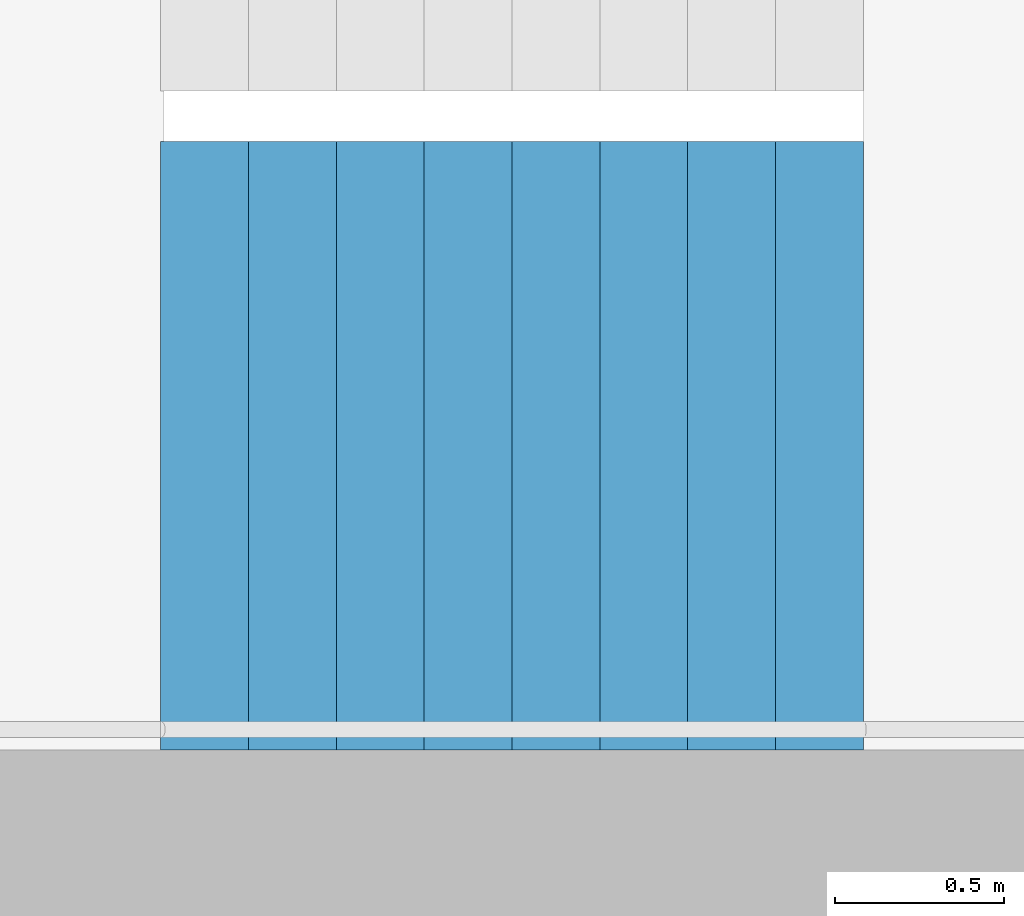
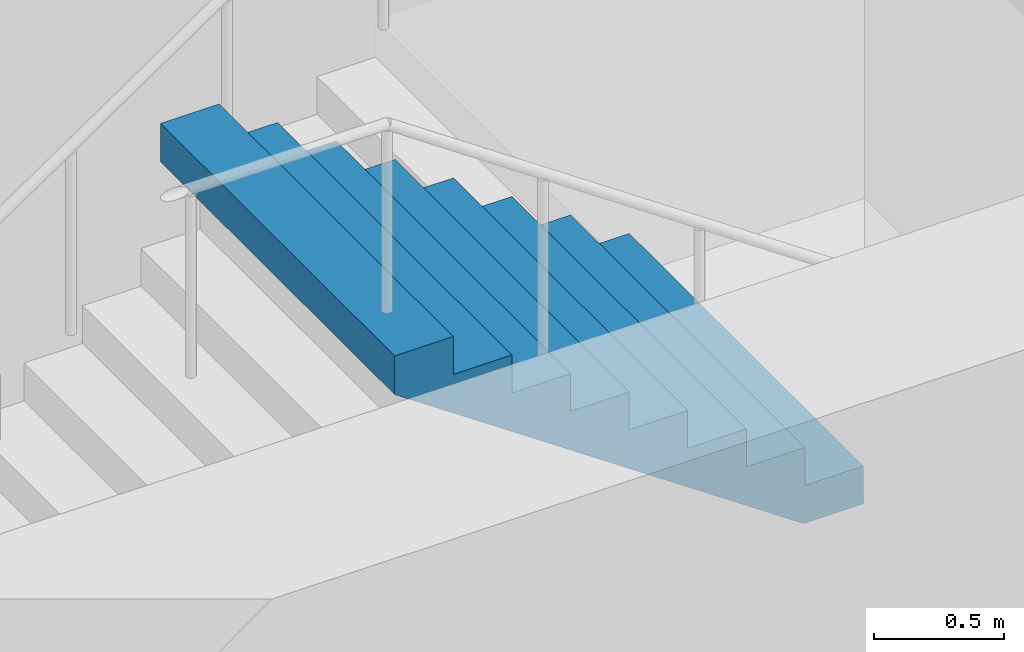
# One storey, part 25 of 29: 1 stair flight, 1 element without a shape of its own.
"""IFC4 building model written with IfcOpenShell, lengths in metres."""

from ifc_helpers import new_model, si_unit, direction, frame, origin, place, context, subcontext, project, spatial, triangles, material, type_object, element, aggregate, save


model = new_model("IFC4")

# Units and contexts
model_context = context("Model", 3, precision=1e-05, world=origin(), true_north=direction((0.0, 1.0)))
body_context = subcontext(model_context, "Body", "Model", "MODEL_VIEW")
ifc_project = project(units=[si_unit("LENGTHUNIT", "METRE"), si_unit("AREAUNIT", "SQUARE_METRE"), si_unit("VOLUMEUNIT", "CUBIC_METRE"), si_unit("PLANEANGLEUNIT", "RADIAN"), si_unit("MASSUNIT", "GRAM", prefix="KILO")], contexts=[model_context])

# Site, building, storey
site_placement = place(None, origin())
site = spatial("IfcSite", under=ifc_project, at=site_placement, CompositionType="ELEMENT")
building_placement = place(site_placement, origin())
building = spatial("IfcBuilding", under=site, at=building_placement, Name="Hakoniwa Tower and Hamabe Station Hall", CompositionType="ELEMENT")
storey_placement = place(building_placement, frame((0.0, 0.0, 91.39990234375)))
storey = spatial("IfcBuildingStorey", under=building, at=storey_placement, Name="L25", CompositionType="ELEMENT", Elevation=91.39990234375)

# Stair, stair flight
ifc_material_1 = material(Name="Concrete C40", Category="concrete")
stair_type = type_object("IfcStairType", Name="ESCAPE STAIR 1800", PredefinedType="HALF_TURN_STAIR", material=ifc_material_1)
stair_placement = place(storey_placement, origin())
stair = element("IfcStair", 1, at=stair_placement, inside=storey, type_object=stair_type, Name="Escape stair ST-4 L25", PredefinedType="HALF_TURN_STAIR")
ifc_material_2 = material(Name="Concrete C40", Category="concrete")
stair_flight_type = type_object("IfcStairFlightType", Name="STAIR FLIGHT 1800", PredefinedType="STRAIGHT", material=ifc_material_2)
stair_flight_placement = place(storey_placement, frame((25.47998046875, -6.60009765625, 1.60009765625), z_axis=(0.0, 0.0, 1.0), x_axis=(-1.0, 0.0, 0.0)))
stair_flight = element("IfcStairFlight", 2, at=stair_flight_placement, type_object=stair_flight_type, Name="ST-4 flight 2", NumberOfRisers=9, NumberOfTreads=8, PredefinedType="STRAIGHT", RiserHeight=0.177777778, TreadLength=0.26, context=body_context, shape_type="Tessellation", body=[
    triangles([(0.0, 0.89990234375, 0.0), (0.260009765625, 0.89990234375, 0.0), (0.265625, 0.89990234375, 0.0), (0.52001953125, 0.89990234375, 0.174072265625), (0.780029296875, 0.89990234375, 0.351806640625), (1.0400390625, 0.89990234375, 0.529541015625), (1.300048828125, 0.89990234375, 0.707275390625), (1.56005859375, 0.89990234375, 0.885009765625), (1.820068359375, 0.89990234375, 1.062744140625), (2.080078125, 0.89990234375, 1.24072265625), (2.080078125, 0.89990234375, 1.422119140625), (1.820068359375, 0.89990234375, 1.422119140625), (1.820068359375, 0.89990234375, 1.244384765625), (1.56005859375, 0.89990234375, 1.244384765625), (1.56005859375, 0.89990234375, 1.066650390625), (1.300048828125, 0.89990234375, 1.066650390625), (1.300048828125, 0.89990234375, 0.888916015625), (1.0400390625, 0.89990234375, 0.888916015625), (1.0400390625, 0.89990234375, 0.711181640625), (0.780029296875, 0.89990234375, 0.711181640625), (0.780029296875, 0.89990234375, 0.533447265625), (0.52001953125, 0.89990234375, 0.533447265625), (0.52001953125, 0.89990234375, 0.35546875), (0.265625, 0.89990234375, 0.35546875), (0.260009765625, 0.89990234375, 0.35546875), (0.260009765625, 0.89990234375, 0.177734375), (0.0, 0.89990234375, 0.177734375), (0.0, 0.06005859375, 0.0), (0.260009765625, 0.06005859375, 0.0), (0.265625, 0.06005859375, 0.0), (0.52001953125, 0.06005859375, 0.174072265625), (0.780029296875, 0.06005859375, 0.351806640625), (1.0400390625, 0.06005859375, 0.529541015625), (1.300048828125, 0.06005859375, 0.707275390625), (1.56005859375, 0.06005859375, 0.885009765625), (1.820068359375, 0.06005859375, 1.062744140625), (2.080078125, 0.06005859375, 1.24072265625), (2.080078125, 0.06005859375, 1.422119140625), (1.820068359375, 0.06005859375, 1.422119140625), (1.820068359375, 0.06005859375, 1.244384765625), (1.56005859375, 0.06005859375, 1.244384765625), (1.56005859375, 0.06005859375, 1.066650390625), (1.300048828125, 0.06005859375, 1.066650390625), (1.300048828125, 0.06005859375, 0.888916015625), (1.0400390625, 0.06005859375, 0.888916015625), (1.0400390625, 0.06005859375, 0.711181640625), (0.780029296875, 0.06005859375, 0.711181640625), (0.780029296875, 0.06005859375, 0.533447265625), (0.52001953125, 0.06005859375, 0.533447265625), (0.52001953125, 0.06005859375, 0.35546875), (0.265625, 0.06005859375, 0.35546875), (0.260009765625, 0.06005859375, 0.35546875), (0.260009765625, 0.06005859375, 0.177734375), (0.0, 0.06005859375, 0.177734375), (0.0, 0.04296875, 0.0), (0.260009765625, 0.04296875, 0.0), (0.265625, 0.04296875, 0.0), (0.52001953125, 0.04296875, 0.174072265625), (0.780029296875, 0.04296875, 0.351806640625), (1.0400390625, 0.04296875, 0.529541015625), (1.300048828125, 0.04296875, 0.707275390625), (1.56005859375, 0.04296875, 0.885009765625), (1.820068359375, 0.04296875, 1.062744140625), (2.080078125, 0.04296875, 1.24072265625), (2.080078125, 0.04296875, 1.422119140625), (1.820068359375, 0.04296875, 1.422119140625), (1.820068359375, 0.04296875, 1.244384765625), (1.56005859375, 0.04296875, 1.244384765625), (1.56005859375, 0.04296875, 1.066650390625), (1.300048828125, 0.04296875, 1.066650390625), (1.300048828125, 0.04296875, 0.888916015625), (1.0400390625, 0.04296875, 0.888916015625), (1.0400390625, 0.04296875, 0.711181640625), (0.780029296875, 0.04296875, 0.711181640625), (0.780029296875, 0.04296875, 0.533447265625), (0.52001953125, 0.04296875, 0.533447265625), (0.52001953125, 0.04296875, 0.35546875), (0.265625, 0.04296875, 0.35546875), (0.260009765625, 0.04296875, 0.35546875), (0.260009765625, 0.04296875, 0.177734375), (0.0, 0.04296875, 0.177734375), (0.0, 0.025634765625, 0.0), (0.260009765625, 0.025634765625, 0.0), (0.265625, 0.025634765625, 0.0), (0.52001953125, 0.025634765625, 0.174072265625), (0.780029296875, 0.025634765625, 0.351806640625), (1.0400390625, 0.025634765625, 0.529541015625), (1.300048828125, 0.025634765625, 0.707275390625), (1.56005859375, 0.025634765625, 0.885009765625), (1.820068359375, 0.025634765625, 1.062744140625), (2.080078125, 0.025634765625, 1.24072265625), (2.080078125, 0.025634765625, 1.422119140625), (1.820068359375, 0.025634765625, 1.422119140625), (1.820068359375, 0.025634765625, 1.244384765625), (1.56005859375, 0.025634765625, 1.244384765625), (1.56005859375, 0.025634765625, 1.066650390625), (1.300048828125, 0.025634765625, 1.066650390625), (1.300048828125, 0.025634765625, 0.888916015625), (1.0400390625, 0.025634765625, 0.888916015625), (1.0400390625, 0.025634765625, 0.711181640625), (0.780029296875, 0.025634765625, 0.711181640625), (0.780029296875, 0.025634765625, 0.533447265625), (0.52001953125, 0.025634765625, 0.533447265625), (0.52001953125, 0.025634765625, 0.35546875), (0.265625, 0.025634765625, 0.35546875), (0.260009765625, 0.025634765625, 0.35546875), (0.260009765625, 0.025634765625, 0.177734375), (0.0, 0.025634765625, 0.177734375), (0.0, 0.008544921875, 0.0), (0.260009765625, 0.008544921875, 0.0), (0.265625, 0.008544921875, 0.0), (0.52001953125, 0.008544921875, 0.174072265625), (0.780029296875, 0.008544921875, 0.351806640625), (1.0400390625, 0.008544921875, 0.529541015625), (1.300048828125, 0.008544921875, 0.707275390625), (1.56005859375, 0.008544921875, 0.885009765625), (1.820068359375, 0.008544921875, 1.062744140625), (2.080078125, 0.008544921875, 1.24072265625), (2.080078125, 0.008544921875, 1.422119140625), (1.820068359375, 0.008544921875, 1.422119140625), (1.820068359375, 0.008544921875, 1.244384765625), (1.56005859375, 0.008544921875, 1.244384765625), (1.56005859375, 0.008544921875, 1.066650390625), (1.300048828125, 0.008544921875, 1.066650390625), (1.300048828125, 0.008544921875, 0.888916015625), (1.0400390625, 0.008544921875, 0.888916015625), (1.0400390625, 0.008544921875, 0.711181640625), (0.780029296875, 0.008544921875, 0.711181640625), (0.780029296875, 0.008544921875, 0.533447265625), (0.52001953125, 0.008544921875, 0.533447265625), (0.52001953125, 0.008544921875, 0.35546875), (0.265625, 0.008544921875, 0.35546875), (0.260009765625, 0.008544921875, 0.35546875), (0.260009765625, 0.008544921875, 0.177734375), (0.0, 0.008544921875, 0.177734375), (0.0, -0.008544921875, 0.0), (0.260009765625, -0.008544921875, 0.0), (0.265625, -0.008544921875, 0.0), (0.52001953125, -0.008544921875, 0.174072265625), (0.780029296875, -0.008544921875, 0.351806640625), (1.0400390625, -0.008544921875, 0.529541015625), (1.300048828125, -0.008544921875, 0.707275390625), (1.56005859375, -0.008544921875, 0.885009765625), (1.820068359375, -0.008544921875, 1.062744140625), (2.080078125, -0.008544921875, 1.24072265625), (2.080078125, -0.008544921875, 1.422119140625), (1.820068359375, -0.008544921875, 1.422119140625), (1.820068359375, -0.008544921875, 1.244384765625), (1.56005859375, -0.008544921875, 1.244384765625), (1.56005859375, -0.008544921875, 1.066650390625), (1.300048828125, -0.008544921875, 1.066650390625), (1.300048828125, -0.008544921875, 0.888916015625), (1.0400390625, -0.008544921875, 0.888916015625), (1.0400390625, -0.008544921875, 0.711181640625), (0.780029296875, -0.008544921875, 0.711181640625), (0.780029296875, -0.008544921875, 0.533447265625), (0.52001953125, -0.008544921875, 0.533447265625), (0.52001953125, -0.008544921875, 0.35546875), (0.265625, -0.008544921875, 0.35546875), (0.260009765625, -0.008544921875, 0.35546875), (0.260009765625, -0.008544921875, 0.177734375), (0.0, -0.008544921875, 0.177734375), (0.0, -0.025634765625, 0.0), (0.260009765625, -0.025634765625, 0.0), (0.265625, -0.025634765625, 0.0), (0.52001953125, -0.025634765625, 0.174072265625), (0.780029296875, -0.025634765625, 0.351806640625), (1.0400390625, -0.025634765625, 0.529541015625), (1.300048828125, -0.025634765625, 0.707275390625), (1.56005859375, -0.025634765625, 0.885009765625), (1.820068359375, -0.025634765625, 1.062744140625), (2.080078125, -0.025634765625, 1.24072265625), (2.080078125, -0.025634765625, 1.422119140625), (1.820068359375, -0.025634765625, 1.422119140625), (1.820068359375, -0.025634765625, 1.244384765625), (1.56005859375, -0.025634765625, 1.244384765625), (1.56005859375, -0.025634765625, 1.066650390625), (1.300048828125, -0.025634765625, 1.066650390625), (1.300048828125, -0.025634765625, 0.888916015625), (1.0400390625, -0.025634765625, 0.888916015625), (1.0400390625, -0.025634765625, 0.711181640625), (0.780029296875, -0.025634765625, 0.711181640625), (0.780029296875, -0.025634765625, 0.533447265625), (0.52001953125, -0.025634765625, 0.533447265625), (0.52001953125, -0.025634765625, 0.35546875), (0.265625, -0.025634765625, 0.35546875), (0.260009765625, -0.025634765625, 0.35546875), (0.260009765625, -0.025634765625, 0.177734375), (0.0, -0.025634765625, 0.177734375), (0.0, -0.04296875, 0.0), (0.260009765625, -0.04296875, 0.0), (0.265625, -0.04296875, 0.0), (0.52001953125, -0.04296875, 0.174072265625), (0.780029296875, -0.04296875, 0.351806640625), (1.0400390625, -0.04296875, 0.529541015625), (1.300048828125, -0.04296875, 0.707275390625), (1.56005859375, -0.04296875, 0.885009765625), (1.820068359375, -0.04296875, 1.062744140625), (2.080078125, -0.04296875, 1.24072265625), (2.080078125, -0.04296875, 1.422119140625), (1.820068359375, -0.04296875, 1.422119140625), (1.820068359375, -0.04296875, 1.244384765625), (1.56005859375, -0.04296875, 1.244384765625), (1.56005859375, -0.04296875, 1.066650390625), (1.300048828125, -0.04296875, 1.066650390625), (1.300048828125, -0.04296875, 0.888916015625), (1.0400390625, -0.04296875, 0.888916015625), (1.0400390625, -0.04296875, 0.711181640625), (0.780029296875, -0.04296875, 0.711181640625), (0.780029296875, -0.04296875, 0.533447265625), (0.52001953125, -0.04296875, 0.533447265625), (0.52001953125, -0.04296875, 0.35546875), (0.265625, -0.04296875, 0.35546875), (0.260009765625, -0.04296875, 0.35546875), (0.260009765625, -0.04296875, 0.177734375), (0.0, -0.04296875, 0.177734375), (0.0, -0.06005859375, 0.0), (0.260009765625, -0.06005859375, 0.0), (0.265625, -0.06005859375, 0.0), (0.52001953125, -0.06005859375, 0.174072265625), (0.780029296875, -0.06005859375, 0.351806640625), (1.0400390625, -0.06005859375, 0.529541015625), (1.300048828125, -0.06005859375, 0.707275390625), (1.56005859375, -0.06005859375, 0.885009765625), (1.820068359375, -0.06005859375, 1.062744140625), (2.080078125, -0.06005859375, 1.24072265625), (2.080078125, -0.06005859375, 1.422119140625), (1.820068359375, -0.06005859375, 1.422119140625), (1.820068359375, -0.06005859375, 1.244384765625), (1.56005859375, -0.06005859375, 1.244384765625), (1.56005859375, -0.06005859375, 1.066650390625), (1.300048828125, -0.06005859375, 1.066650390625), (1.300048828125, -0.06005859375, 0.888916015625), (1.0400390625, -0.06005859375, 0.888916015625), (1.0400390625, -0.06005859375, 0.711181640625), (0.780029296875, -0.06005859375, 0.711181640625), (0.780029296875, -0.06005859375, 0.533447265625), (0.52001953125, -0.06005859375, 0.533447265625), (0.52001953125, -0.06005859375, 0.35546875), (0.265625, -0.06005859375, 0.35546875), (0.260009765625, -0.06005859375, 0.35546875), (0.260009765625, -0.06005859375, 0.177734375), (0.0, -0.06005859375, 0.177734375), (0.0, -0.89990234375, 0.0), (0.260009765625, -0.89990234375, 0.0), (0.265625, -0.89990234375, 0.0), (0.52001953125, -0.89990234375, 0.174072265625), (0.780029296875, -0.89990234375, 0.351806640625), (1.0400390625, -0.89990234375, 0.529541015625), (1.300048828125, -0.89990234375, 0.707275390625), (1.56005859375, -0.89990234375, 0.885009765625), (1.820068359375, -0.89990234375, 1.062744140625), (2.080078125, -0.89990234375, 1.24072265625), (2.080078125, -0.89990234375, 1.422119140625), (1.820068359375, -0.89990234375, 1.422119140625), (1.820068359375, -0.89990234375, 1.244384765625), (1.56005859375, -0.89990234375, 1.244384765625), (1.56005859375, -0.89990234375, 1.066650390625), (1.300048828125, -0.89990234375, 1.066650390625), (1.300048828125, -0.89990234375, 0.888916015625), (1.0400390625, -0.89990234375, 0.888916015625), (1.0400390625, -0.89990234375, 0.711181640625), (0.780029296875, -0.89990234375, 0.711181640625), (0.780029296875, -0.89990234375, 0.533447265625), (0.52001953125, -0.89990234375, 0.533447265625), (0.52001953125, -0.89990234375, 0.35546875), (0.265625, -0.89990234375, 0.35546875), (0.260009765625, -0.89990234375, 0.35546875), (0.260009765625, -0.89990234375, 0.177734375), (0.0, -0.89990234375, 0.177734375)], [[2, 27, 26], [245, 269, 270], [2, 1, 27], [245, 270, 244], [3, 25, 24], [246, 267, 268], [3, 26, 25], [246, 268, 269], [3, 2, 26], [246, 269, 245], [4, 24, 23], [247, 266, 267], [4, 3, 24], [247, 267, 246], [5, 22, 21], [248, 264, 265], [5, 23, 22], [248, 265, 266], [5, 4, 23], [248, 266, 247], [6, 20, 19], [249, 262, 263], [6, 21, 20], [249, 263, 264], [6, 5, 21], [249, 264, 248], [7, 18, 17], [250, 260, 261], [7, 19, 18], [250, 261, 262], [7, 6, 19], [250, 262, 249], [8, 16, 15], [251, 258, 259], [8, 17, 16], [251, 259, 260], [8, 7, 17], [251, 260, 250], [9, 14, 13], [252, 256, 257], [9, 15, 14], [252, 257, 258], [9, 8, 15], [252, 258, 251], [10, 12, 11], [253, 254, 255], [10, 13, 12], [253, 255, 256], [10, 9, 13], [253, 256, 252], [1, 2, 29], [1, 29, 28], [28, 29, 56], [28, 56, 55], [55, 56, 83], [55, 83, 82], [82, 83, 110], [82, 110, 109], [109, 110, 137], [109, 137, 136], [136, 137, 164], [136, 164, 163], [163, 164, 191], [163, 191, 190], [190, 191, 218], [190, 218, 217], [217, 218, 245], [217, 245, 244], [2, 3, 30], [2, 30, 29], [29, 30, 57], [29, 57, 56], [56, 57, 84], [56, 84, 83], [83, 84, 111], [83, 111, 110], [110, 111, 138], [110, 138, 137], [137, 138, 165], [137, 165, 164], [164, 165, 192], [164, 192, 191], [191, 192, 219], [191, 219, 218], [218, 219, 246], [218, 246, 245], [3, 4, 31], [3, 31, 30], [30, 31, 58], [30, 58, 57], [57, 58, 85], [57, 85, 84], [84, 85, 112], [84, 112, 111], [111, 112, 139], [111, 139, 138], [138, 139, 166], [138, 166, 165], [165, 166, 193], [165, 193, 192], [192, 193, 220], [192, 220, 219], [219, 220, 247], [219, 247, 246], [4, 5, 32], [4, 32, 31], [31, 32, 59], [31, 59, 58], [58, 59, 86], [58, 86, 85], [85, 86, 113], [85, 113, 112], [112, 113, 140], [112, 140, 139], [139, 140, 167], [139, 167, 166], [166, 167, 194], [166, 194, 193], [193, 194, 221], [193, 221, 220], [220, 221, 248], [220, 248, 247], [5, 6, 33], [5, 33, 32], [32, 33, 60], [32, 60, 59], [59, 60, 87], [59, 87, 86], [86, 87, 114], [86, 114, 113], [113, 114, 141], [113, 141, 140], [140, 141, 168], [140, 168, 167], [167, 168, 195], [167, 195, 194], [194, 195, 222], [194, 222, 221], [221, 222, 249], [221, 249, 248], [6, 7, 34], [6, 34, 33], [33, 34, 61], [33, 61, 60], [60, 61, 88], [60, 88, 87], [87, 88, 115], [87, 115, 114], [114, 115, 142], [114, 142, 141], [141, 142, 169], [141, 169, 168], [168, 169, 196], [168, 196, 195], [195, 196, 223], [195, 223, 222], [222, 223, 250], [222, 250, 249], [7, 8, 35], [7, 35, 34], [34, 35, 62], [34, 62, 61], [61, 62, 89], [61, 89, 88], [88, 89, 116], [88, 116, 115], [115, 116, 143], [115, 143, 142], [142, 143, 170], [142, 170, 169], [169, 170, 197], [169, 197, 196], [196, 197, 224], [196, 224, 223], [223, 224, 251], [223, 251, 250], [8, 9, 36], [8, 36, 35], [35, 36, 63], [35, 63, 62], [62, 63, 90], [62, 90, 89], [89, 90, 117], [89, 117, 116], [116, 117, 144], [116, 144, 143], [143, 144, 171], [143, 171, 170], [170, 171, 198], [170, 198, 197], [197, 198, 225], [197, 225, 224], [224, 225, 252], [224, 252, 251], [9, 10, 37], [9, 37, 36], [36, 37, 64], [36, 64, 63], [63, 64, 91], [63, 91, 90], [90, 91, 118], [90, 118, 117], [117, 118, 145], [117, 145, 144], [144, 145, 172], [144, 172, 171], [171, 172, 199], [171, 199, 198], [198, 199, 226], [198, 226, 225], [225, 226, 253], [225, 253, 252], [10, 11, 38], [10, 38, 37], [37, 38, 65], [37, 65, 64], [64, 65, 92], [64, 92, 91], [91, 92, 119], [91, 119, 118], [118, 119, 146], [118, 146, 145], [145, 146, 173], [145, 173, 172], [172, 173, 200], [172, 200, 199], [199, 200, 227], [199, 227, 226], [226, 227, 254], [226, 254, 253], [11, 12, 39], [11, 39, 38], [38, 39, 66], [38, 66, 65], [65, 66, 93], [65, 93, 92], [92, 93, 120], [92, 120, 119], [119, 120, 147], [119, 147, 146], [146, 147, 174], [146, 174, 173], [173, 174, 201], [173, 201, 200], [200, 201, 228], [200, 228, 227], [227, 228, 255], [227, 255, 254], [12, 13, 40], [12, 40, 39], [39, 40, 67], [39, 67, 66], [66, 67, 94], [66, 94, 93], [93, 94, 121], [93, 121, 120], [120, 121, 148], [120, 148, 147], [147, 148, 175], [147, 175, 174], [174, 175, 202], [174, 202, 201], [201, 202, 229], [201, 229, 228], [228, 229, 256], [228, 256, 255], [13, 14, 41], [13, 41, 40], [40, 41, 68], [40, 68, 67], [67, 68, 95], [67, 95, 94], [94, 95, 122], [94, 122, 121], [121, 122, 149], [121, 149, 148], [148, 149, 176], [148, 176, 175], [175, 176, 203], [175, 203, 202], [202, 203, 230], [202, 230, 229], [229, 230, 257], [229, 257, 256], [14, 15, 42], [14, 42, 41], [41, 42, 69], [41, 69, 68], [68, 69, 96], [68, 96, 95], [95, 96, 123], [95, 123, 122], [122, 123, 150], [122, 150, 149], [149, 150, 177], [149, 177, 176], [176, 177, 204], [176, 204, 203], [203, 204, 231], [203, 231, 230], [230, 231, 258], [230, 258, 257], [15, 16, 43], [15, 43, 42], [42, 43, 70], [42, 70, 69], [69, 70, 97], [69, 97, 96], [96, 97, 124], [96, 124, 123], [123, 124, 151], [123, 151, 150], [150, 151, 178], [150, 178, 177], [177, 178, 205], [177, 205, 204], [204, 205, 232], [204, 232, 231], [231, 232, 259], [231, 259, 258], [16, 17, 44], [16, 44, 43], [43, 44, 71], [43, 71, 70], [70, 71, 98], [70, 98, 97], [97, 98, 125], [97, 125, 124], [124, 125, 152], [124, 152, 151], [151, 152, 179], [151, 179, 178], [178, 179, 206], [178, 206, 205], [205, 206, 233], [205, 233, 232], [232, 233, 260], [232, 260, 259], [17, 18, 45], [17, 45, 44], [44, 45, 72], [44, 72, 71], [71, 72, 99], [71, 99, 98], [98, 99, 126], [98, 126, 125], [125, 126, 153], [125, 153, 152], [152, 153, 180], [152, 180, 179], [179, 180, 207], [179, 207, 206], [206, 207, 234], [206, 234, 233], [233, 234, 261], [233, 261, 260], [18, 19, 46], [18, 46, 45], [45, 46, 73], [45, 73, 72], [72, 73, 100], [72, 100, 99], [99, 100, 127], [99, 127, 126], [126, 127, 154], [126, 154, 153], [153, 154, 181], [153, 181, 180], [180, 181, 208], [180, 208, 207], [207, 208, 235], [207, 235, 234], [234, 235, 262], [234, 262, 261], [19, 20, 47], [19, 47, 46], [46, 47, 74], [46, 74, 73], [73, 74, 101], [73, 101, 100], [100, 101, 128], [100, 128, 127], [127, 128, 155], [127, 155, 154], [154, 155, 182], [154, 182, 181], [181, 182, 209], [181, 209, 208], [208, 209, 236], [208, 236, 235], [235, 236, 263], [235, 263, 262], [20, 21, 48], [20, 48, 47], [47, 48, 75], [47, 75, 74], [74, 75, 102], [74, 102, 101], [101, 102, 129], [101, 129, 128], [128, 129, 156], [128, 156, 155], [155, 156, 183], [155, 183, 182], [182, 183, 210], [182, 210, 209], [209, 210, 237], [209, 237, 236], [236, 237, 264], [236, 264, 263], [21, 22, 49], [21, 49, 48], [48, 49, 76], [48, 76, 75], [75, 76, 103], [75, 103, 102], [102, 103, 130], [102, 130, 129], [129, 130, 157], [129, 157, 156], [156, 157, 184], [156, 184, 183], [183, 184, 211], [183, 211, 210], [210, 211, 238], [210, 238, 237], [237, 238, 265], [237, 265, 264], [22, 23, 50], [22, 50, 49], [49, 50, 77], [49, 77, 76], [76, 77, 104], [76, 104, 103], [103, 104, 131], [103, 131, 130], [130, 131, 158], [130, 158, 157], [157, 158, 185], [157, 185, 184], [184, 185, 212], [184, 212, 211], [211, 212, 239], [211, 239, 238], [238, 239, 266], [238, 266, 265], [23, 24, 51], [23, 51, 50], [50, 51, 78], [50, 78, 77], [77, 78, 105], [77, 105, 104], [104, 105, 132], [104, 132, 131], [131, 132, 159], [131, 159, 158], [158, 159, 186], [158, 186, 185], [185, 186, 213], [185, 213, 212], [212, 213, 240], [212, 240, 239], [239, 240, 267], [239, 267, 266], [24, 25, 52], [24, 52, 51], [51, 52, 79], [51, 79, 78], [78, 79, 106], [78, 106, 105], [105, 106, 133], [105, 133, 132], [132, 133, 160], [132, 160, 159], [159, 160, 187], [159, 187, 186], [186, 187, 214], [186, 214, 213], [213, 214, 241], [213, 241, 240], [240, 241, 268], [240, 268, 267], [25, 26, 53], [25, 53, 52], [52, 53, 80], [52, 80, 79], [79, 80, 107], [79, 107, 106], [106, 107, 134], [106, 134, 133], [133, 134, 161], [133, 161, 160], [160, 161, 188], [160, 188, 187], [187, 188, 215], [187, 215, 214], [214, 215, 242], [214, 242, 241], [241, 242, 269], [241, 269, 268], [26, 27, 54], [26, 54, 53], [53, 54, 81], [53, 81, 80], [80, 81, 108], [80, 108, 107], [107, 108, 135], [107, 135, 134], [134, 135, 162], [134, 162, 161], [161, 162, 189], [161, 189, 188], [188, 189, 216], [188, 216, 215], [215, 216, 243], [215, 243, 242], [242, 243, 270], [242, 270, 269], [27, 1, 28], [27, 28, 54], [54, 28, 55], [54, 55, 81], [81, 55, 82], [81, 82, 108], [108, 82, 109], [108, 109, 135], [135, 109, 136], [135, 136, 162], [162, 136, 163], [162, 163, 189], [189, 163, 190], [189, 190, 216], [216, 190, 217], [216, 217, 243], [243, 217, 244], [243, 244, 270]], closed=True),
])
aggregate(stair, [stair_flight])

save(model, "model.ifc")
